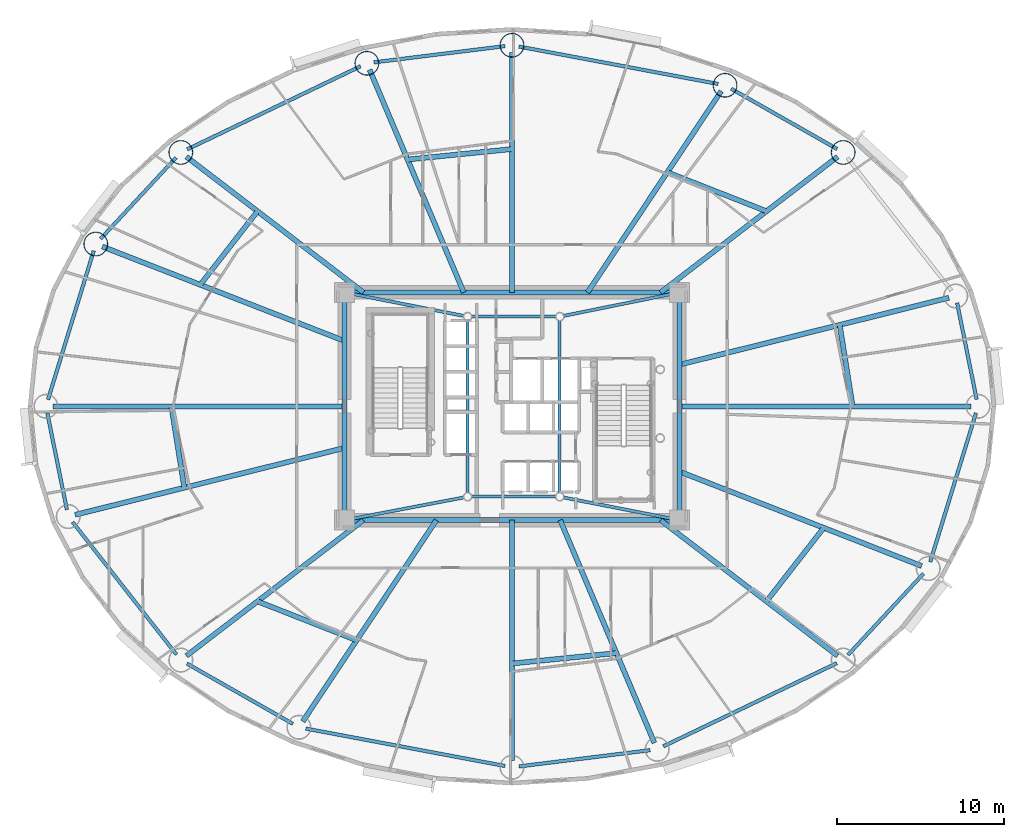
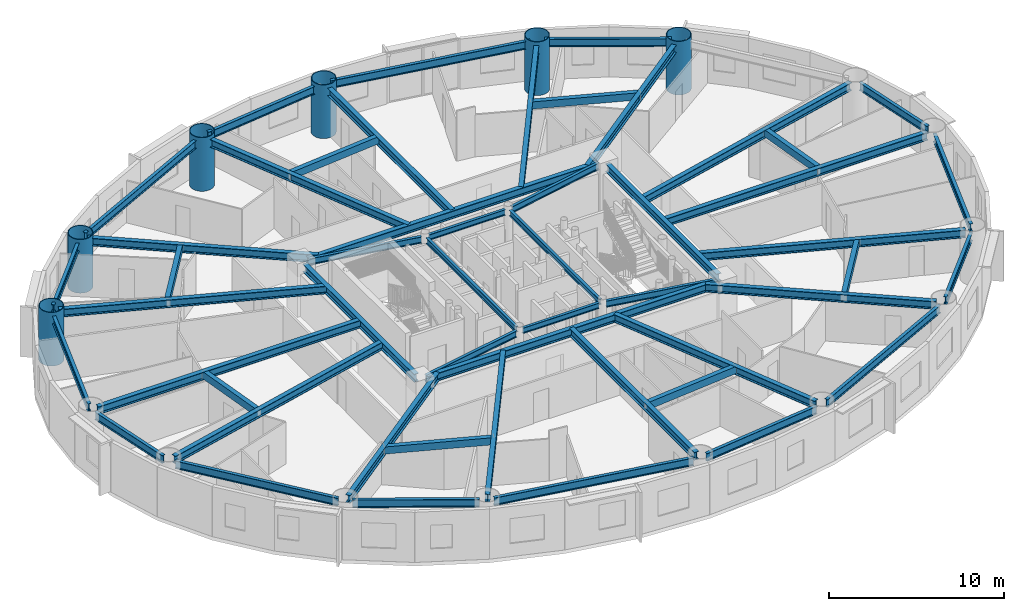
# One storey, part 3 of 19: 51 beams, 6 columns.
"""IFC4 building model written with IfcOpenShell, lengths in metres."""

import ifcopenshell
import ifcopenshell.guid

model = None  # the IFC model being written
_history = None  # IfcOwnerHistory: only IFC2X3 demands one
_inside = {}  # id of a spatial element -> (the spatial element, [elements in it])
_under = {}  # id of a project, library or spatial element -> (it, [spatial elements below it])
_declared = {}  # id of a project -> (the project, [libraries it declares])
_typed = {}  # id of a type object -> (the type object, [elements of that type])
_made_of = {}  # id of a material, layer set ... -> (it, [elements and type objects made of it])


def new_model(schema):
    """Start an empty IFC model of exactly this schema.

    Asked for "IFC4X3", IfcOpenShell would pick the latest addendum, in which some entities
    have other attributes; the version numbers below select the first issue.
    IFC2X3 requires an IfcOwnerHistory on every rooted entity: one is made here for all.
    """
    global model, _history
    if schema == "IFC4X3":
        model = ifcopenshell.file(schema_version=(4, 3, 0, 0))
    else:
        model = ifcopenshell.file(schema=schema)
    _inside.clear()
    _under.clear()
    _declared.clear()
    _typed.clear()
    _made_of.clear()
    _history = None
    if model.schema == "IFC2X3":
        org = make("IfcOrganization", Name="unknown")
        user = make(
            "IfcPersonAndOrganization",
            ThePerson=make("IfcPerson", FamilyName="unknown"),
            TheOrganization=org,
        )
        app = make(
            "IfcApplication",
            ApplicationDeveloper=org,
            Version="unknown",
            ApplicationFullName="unknown",
            ApplicationIdentifier="unknown",
        )
        _history = make(
            "IfcOwnerHistory",
            OwningUser=user,
            OwningApplication=app,
            ChangeAction="ADDED",
            CreationDate=0,
        )
    return model


def make(cls, **values):
    """One entity of the class cls with the attributes given. An attribute that is None is left unset."""
    return model.create_entity(
        cls, **{name: value for name, value in values.items() if value is not None}
    )


def rooted(cls, **values):
    """An entity with a GlobalId (a new one), such as an element, a storey or a relation."""
    return make(cls, GlobalId=ifcopenshell.guid.new(), OwnerHistory=_history, **values)


def si_unit(unit_type, name, prefix=None):
    """IfcSIUnit, for example si_unit("LENGTHUNIT", "METRE", prefix="MILLI")."""
    return make("IfcSIUnit", UnitType=unit_type, Prefix=prefix, Name=name)


def assignment(units):
    """IfcUnitAssignment: the units of a project."""
    return None if units is None else make("IfcUnitAssignment", Units=units)


def point(xyz):
    """IfcCartesianPoint."""
    return None if xyz is None else make("IfcCartesianPoint", Coordinates=xyz)


def direction(xyz):
    """IfcDirection."""
    return None if xyz is None else make("IfcDirection", DirectionRatios=xyz)


def frame(location, z_axis=None, x_axis=None):
    """IfcAxis2Placement3D, a coordinate frame: its origin and axes. An axis left out is left unset."""
    return make(
        "IfcAxis2Placement3D",
        Location=point(location),
        Axis=direction(z_axis),
        RefDirection=direction(x_axis),
    )


def frame_2d(location, x_axis=None):
    """IfcAxis2Placement2D, a coordinate frame in the plane: its origin and x axis."""
    return make(
        "IfcAxis2Placement2D", Location=point(location), RefDirection=direction(x_axis)
    )


def origin():
    """The frame at (0, 0, 0) with its axes left unset."""
    return frame((0.0, 0.0, 0.0))


def origin_2d():
    """The frame at (0, 0) in the plane with its x axis left unset."""
    return frame_2d((0.0, 0.0))


def place(relative_to, where):
    """IfcLocalPlacement: puts the frame where relative to a parent placement (None: the world)."""
    return make(
        "IfcLocalPlacement", PlacementRelTo=relative_to, RelativePlacement=where
    )


def context(
    kind, dimensions, precision=None, world=None, true_north=None, identifier=None
):
    """IfcGeometricRepresentationContext, for example the 3D "Model" context."""
    return make(
        "IfcGeometricRepresentationContext",
        ContextIdentifier=identifier,
        ContextType=kind,
        CoordinateSpaceDimension=dimensions,
        Precision=precision,
        WorldCoordinateSystem=world,
        TrueNorth=true_north,
    )


def subcontext(parent, identifier, kind, view, scale=None):
    """IfcGeometricRepresentationSubContext, for example "Body" below "Model"."""
    return make(
        "IfcGeometricRepresentationSubContext",
        ContextIdentifier=identifier,
        ContextType=kind,
        ParentContext=parent,
        TargetScale=scale,
        TargetView=view,
    )


def project(units=None, contexts=None):
    """IfcProject with its units and contexts."""
    return rooted(
        "IfcProject",
        Name="project",
        RepresentationContexts=contexts,
        UnitsInContext=assignment(units),
    )


def spatial(cls, under=None, at=None, **own):
    """A site, building, storey or space (cls), placed at a placement, below another one or the project."""
    s = rooted(cls, ObjectPlacement=at, **own)
    if under is not None:
        _under.setdefault(under.id(), (under, []))[1].append(s)
    return s


def profile(cls, at=None, kind="AREA", **sizes):
    """A parametric profile (cls). Its sizes go by their IFC names, for example OverallWidth=200.0."""
    return make(cls, ProfileType=kind, Position=at, **sizes)


def hollow_rectangle(**sizes):
    """IfcRectangleHollowProfileDef."""
    return profile("IfcRectangleHollowProfileDef", **sizes)


def hollow_circle(**sizes):
    """IfcCircleHollowProfileDef."""
    return profile("IfcCircleHollowProfileDef", **sizes)


def i_section(**sizes):
    """IfcIShapeProfileDef."""
    return profile("IfcIShapeProfileDef", **sizes)


def extrude(swept, where, along, depth):
    """IfcExtrudedAreaSolid: the profile swept, set in the frame where, extruded along a direction by depth."""
    return make(
        "IfcExtrudedAreaSolid",
        SweptArea=swept,
        Position=where,
        ExtrudedDirection=direction(along),
        Depth=depth,
    )


def shape(context_of_items, identifier, shape_type, items):
    """IfcShapeRepresentation: the items that make up one representation, for example the "Body"."""
    return make(
        "IfcShapeRepresentation",
        ContextOfItems=context_of_items,
        RepresentationIdentifier=identifier,
        RepresentationType=shape_type,
        Items=items,
    )


def material(Name=None, Category=None):
    """IfcMaterial."""
    return make("IfcMaterial", Name=Name, Category=Category)


def material_profile(
    of_material, cross_section, Name=None, Category=None, Priority=None
):
    """IfcMaterialProfile: a cross section and its material."""
    return make(
        "IfcMaterialProfile",
        Name=Name,
        Material=of_material,
        Profile=cross_section,
        Priority=Priority,
        Category=Category,
    )


def profile_set(profiles, Name=None, composite=None):
    """IfcMaterialProfileSet."""
    return make(
        "IfcMaterialProfileSet",
        Name=Name,
        MaterialProfiles=profiles,
        CompositeProfile=composite,
    )


def made_of(thing, what):
    """Note that an element or type object is made of a material, layer set ...; save() writes the relation."""
    if what is not None:
        _made_of.setdefault(what.id(), (what, []))[1].append(thing)
    return thing


def type_object(cls, material=None, **own):
    """A type object (cls), such as IfcWallType, which elements share."""
    return made_of(rooted(cls, **own), material)


def element(
    cls,
    number,
    at=None,
    inside=None,
    cuts=None,
    type_object=None,
    material=None,
    context=None,
    identifier="Body",
    shape_type=None,
    held_by="IfcProductDefinitionShape",
    body=None,
    shapes=None,
    **own,
):
    """One element of the class cls, such as IfcWall. Its Tag is "e" and its number.

    at: its placement. inside: the storey or other place that contains it. cuts: it is an
    opening in that element (IfcRelVoidsElement). A single representation is given by context,
    identifier, shape_type and body (its items); several are given by shapes. held_by: the class
    of the entity that holds the representations. save() writes the other relations.
    """
    e = rooted(cls, Tag="e%d" % number, ObjectPlacement=at, **own)
    if body is not None:
        shapes = [shape(context, identifier, shape_type, body)]
    if shapes is not None:
        e.Representation = make(held_by, Representations=shapes)
    if inside is not None:
        _inside.setdefault(inside.id(), (inside, []))[1].append(e)
    if cuts is not None:
        rooted(
            "IfcRelVoidsElement", RelatingBuildingElement=cuts, RelatedOpeningElement=e
        )
    if type_object is not None:
        _typed.setdefault(type_object.id(), (type_object, []))[1].append(e)
    return made_of(e, material)


def aggregate(whole, parts):
    """IfcRelAggregates: a whole, such as a stair, and the parts it consists of."""
    return rooted("IfcRelAggregates", RelatingObject=whole, RelatedObjects=parts)


def save(model, path):
    """Write the relations noted so far, then the file.

    IfcRelAggregates (storeys below a building ...), IfcRelContainedInSpatialStructure (elements
    in a storey), IfcRelDefinesByType, IfcRelAssociatesMaterial and IfcRelDeclares: one each for
    every whole, place, type object, material and project.
    """
    for whole, parts in _under.values():
        aggregate(whole, parts)
    for where, things in _inside.values():
        rooted(
            "IfcRelContainedInSpatialStructure",
            RelatedElements=things,
            RelatingStructure=where,
        )
    for kind, things in _typed.values():
        rooted("IfcRelDefinesByType", RelatedObjects=things, RelatingType=kind)
    for what, things in _made_of.values():
        rooted("IfcRelAssociatesMaterial", RelatedObjects=things, RelatingMaterial=what)
    for by, libraries in _declared.values():
        rooted("IfcRelDeclares", RelatingContext=by, RelatedDefinitions=libraries)
    model.write(path)


model = new_model("IFC4")

# Units and contexts
model_context = context("Model", 3, precision=1e-05, world=origin(), true_north=direction((0.0, 1.0)))
body_context = subcontext(model_context, "Body", "Model", "MODEL_VIEW")
ifc_project = project(units=[si_unit("LENGTHUNIT", "METRE"), si_unit("AREAUNIT", "SQUARE_METRE"), si_unit("VOLUMEUNIT", "CUBIC_METRE"), si_unit("PLANEANGLEUNIT", "RADIAN"), si_unit("MASSUNIT", "GRAM", prefix="KILO")], contexts=[model_context])

# Site, building, storey
site_placement = place(None, origin())
site = spatial("IfcSite", under=ifc_project, at=site_placement, CompositionType="ELEMENT")
building_placement = place(site_placement, origin())
building = spatial("IfcBuilding", under=site, at=building_placement, Name="Linh Dai School and Residence Tower", CompositionType="ELEMENT")
storey_placement = place(building_placement, frame((0.0, 0.0, 112.199951171875)))
storey = spatial("IfcBuildingStorey", under=building, at=storey_placement, Name="L26", CompositionType="ELEMENT", Elevation=112.199951171875)

# Columns
ifc_material = material(Name="Structural Steel S355JR", Category="steel")
ifc_material_profile_1 = material_profile(ifc_material, hollow_circle(Radius=0.72509765625, WallThickness=0.0419921875, at=origin_2d()), Name="CHS 1450x42")
ifc_profile_set_1 = profile_set([ifc_material_profile_1], Name="Structural Steel S355JR")
column_type = type_object("IfcColumnType", Name="COL-MC3", PredefinedType="COLUMN", material=ifc_profile_set_1)
for number, where, z_axis, x_axis, name in (
    (1, (55.772705078125, 42.155517578125, 0.0), (0.0, 0.0, 1.0), (1.0, 0.0, 0.0), "L26 Perimeter CFT Mega-Column MC03"),
    (2, (48.721923828125, 46.1650390625, 0.0), (0.0, 0.0, 1.0), (1.0, 0.0, 0.0), "L26 Perimeter CFT Mega-Column MC04"),
    (3, (36.0, 48.554931640625, 0.0), (0.0, 0.0, 1.0), (1.0, 0.0, 0.0), "L26 Perimeter CFT Mega-Column MC05"),
    (4, (27.33447265625, 47.480712890625, 0.0), (0.0, 0.0, 1.0), (1.0, 0.0, 0.0), "L26 Perimeter CFT Mega-Column MC06"),
    (5, (16.227294921875, 42.155517578125, 0.0), (0.0, 0.0, 1.0), (1.0, 0.0, 0.0), "L26 Perimeter CFT Mega-Column MC07"),
    (6, (11.15087890625, 36.6875, 0.0), (0.0, 0.0, 1.0), (1.0, 0.0, 0.0), "L26 Perimeter CFT Mega-Column MC08"),
):
    element("IfcColumn", number, at=place(storey_placement, frame(where, z_axis=z_axis, x_axis=x_axis)), inside=storey, type_object=column_type, Name=name, PredefinedType="COLUMN", context=body_context, shape_type="SweptSolid", body=[
        extrude(hollow_circle(Radius=0.72509765625, WallThickness=0.0419921875, at=origin_2d()), origin(), (0.0, 0.0, 1.0), 3.75),
    ])

# Beams
ifc_material_profile_2 = material_profile(ifc_material, hollow_rectangle(XDim=0.300048828125, YDim=0.5, WallThickness=0.01611328125, at=origin_2d()), Name="RHS 500x300x16")
ifc_profile_set_2 = profile_set([ifc_material_profile_2], Name="Structural Steel S355JR")
beam_type_1 = type_object("IfcBeamType", Name="BM-BX5", PredefinedType="BEAM", material=ifc_profile_set_2)
beam_1_placement = place(storey_placement, frame((56.337646484375, 27.0048828125, 3.25), z_axis=(-0.157026901302, 0.987594325757, 0.0), x_axis=(-0.987594325757, -0.157026901302, 0.0)))
element("IfcBeam", 7, at=beam_1_placement, inside=storey, type_object=beam_type_1, Name="L26 Secondary Circumferential Floor Beam 01", PredefinedType="BEAM", context=body_context, shape_type="SweptSolid", body=[
    extrude(hollow_rectangle(XDim=0.300048828125, YDim=0.5, WallThickness=0.01611328125, at=origin_2d()), origin(), (0.0, 0.0, 1.0), 4.91162109375),
])
beam_2_placement = place(storey_placement, frame((51.189453125, 38.64794921875, 3.25), z_axis=(-0.930742146732, 0.365676163151, 0.0), x_axis=(-0.365676163151, -0.930742146732, 0.0)))
element("IfcBeam", 8, at=beam_2_placement, inside=storey, type_object=beam_type_1, Name="L26 Secondary Circumferential Floor Beam 02", PredefinedType="BEAM", context=body_context, shape_type="SweptSolid", body=[
    extrude(hollow_rectangle(XDim=0.300048828125, YDim=0.5, WallThickness=0.01611328125, at=origin_2d()), origin(), (0.0, 0.0, 1.0), 6.349853515625),
])
beam_3_placement = place(storey_placement, frame((35.9951171875, 42.357421875, 3.25), z_axis=(-0.995043370853, -0.099441893196, 0.0), x_axis=(0.099441893196, -0.995043370853, 0.0)))
element("IfcBeam", 9, at=beam_3_placement, inside=storey, type_object=beam_type_1, Name="L26 Secondary Circumferential Floor Beam 03", PredefinedType="BEAM", context=body_context, shape_type="SweptSolid", body=[
    extrude(hollow_rectangle(XDim=0.300048828125, YDim=0.5, WallThickness=0.01611328125, at=origin_2d()), origin(), (0.0, 0.0, 1.0), 6.255615234375),
])
beam_4_placement = place(storey_placement, frame((20.802734375, 38.64208984375, 3.25), z_axis=(-0.614369629322, -0.789018351223, 0.0), x_axis=(0.789018351223, -0.614369629322, 0.0)))
element("IfcBeam", 10, at=beam_4_placement, inside=storey, type_object=beam_type_1, Name="L26 Secondary Circumferential Floor Beam 04", PredefinedType="BEAM", context=body_context, shape_type="SweptSolid", body=[
    extrude(hollow_rectangle(XDim=0.300048828125, YDim=0.5, WallThickness=0.01611328125, at=origin_2d()), origin(), (0.0, 0.0, 1.0), 5.553955078125),
])
beam_5_placement = place(storey_placement, frame((15.662353515625, 26.9951171875, 3.25), z_axis=(0.157026901302, -0.987594325757, 0.0), x_axis=(0.987594325757, 0.157026901302, 0.0)))
element("IfcBeam", 11, at=beam_5_placement, inside=storey, type_object=beam_type_1, Name="L26 Secondary Circumferential Floor Beam 05", PredefinedType="BEAM", context=body_context, shape_type="SweptSolid", body=[
    extrude(hollow_rectangle(XDim=0.300048828125, YDim=0.5, WallThickness=0.01611328125, at=origin_2d()), origin(), (0.0, 0.0, 1.0), 4.91162109375),
])
beam_6_placement = place(storey_placement, frame((20.810546875, 15.35205078125, 3.25), z_axis=(0.930742146732, -0.365676163151, 0.0), x_axis=(0.365676163151, 0.930742146732, 0.0)))
element("IfcBeam", 12, at=beam_6_placement, inside=storey, type_object=beam_type_1, Name="L26 Secondary Circumferential Floor Beam 06", PredefinedType="BEAM", context=body_context, shape_type="SweptSolid", body=[
    extrude(hollow_rectangle(XDim=0.300048828125, YDim=0.5, WallThickness=0.01611328125, at=origin_2d()), origin(), (0.0, 0.0, 1.0), 6.349853515625),
])
beam_7_placement = place(storey_placement, frame((36.0048828125, 11.642578125, 3.25), z_axis=(0.995043370853, 0.099441893196, 0.0), x_axis=(-0.099441893196, 0.995043370853, 0.0)))
element("IfcBeam", 13, at=beam_7_placement, inside=storey, type_object=beam_type_1, Name="L26 Secondary Circumferential Floor Beam 07", PredefinedType="BEAM", context=body_context, shape_type="SweptSolid", body=[
    extrude(hollow_rectangle(XDim=0.300048828125, YDim=0.5, WallThickness=0.01611328125, at=origin_2d()), origin(), (0.0, 0.0, 1.0), 6.255615234375),
])
beam_8_placement = place(storey_placement, frame((51.197265625, 15.35791015625, 3.25), z_axis=(0.614369629322, 0.789018351223, 0.0), x_axis=(-0.789018351223, 0.614369629322, 0.0)))
element("IfcBeam", 14, at=beam_8_placement, inside=storey, type_object=beam_type_1, Name="L26 Secondary Circumferential Floor Beam 08", PredefinedType="BEAM", context=body_context, shape_type="SweptSolid", body=[
    extrude(hollow_rectangle(XDim=0.300048828125, YDim=0.5, WallThickness=0.01611328125, at=origin_2d()), origin(), (0.0, 0.0, 1.0), 5.553955078125),
])
ifc_material_profile_3 = material_profile(ifc_material, i_section(OverallWidth=0.2099609375, OverallDepth=0.550048828125, WebThickness=0.010986328125, FlangeThickness=0.01708984375, FilletRadius=0.02392578125, at=origin_2d()), Name="IPE 550")
ifc_profile_set_3 = profile_set([ifc_material_profile_3], Name="Structural Steel S355JR")
beam_type_2 = type_object("IfcBeamType", Name="BM-RB55", PredefinedType="BEAM", material=ifc_profile_set_3)
beam_9_placement = place(storey_placement, frame((63.74169921875, 27.41162109375, 3.22509765625), z_axis=(-0.198441254313, 0.980112783605, 0.0), x_axis=(-0.980112783605, -0.198441254313, 0.0)))
element("IfcBeam", 15, at=beam_9_placement, inside=storey, type_object=beam_type_2, Name="L26 Perimeter Elliptical Ring Beam 01", PredefinedType="BEAM", context=body_context, shape_type="SweptSolid", body=[
    extrude(i_section(OverallWidth=0.2099609375, OverallDepth=0.550048828125, WebThickness=0.010986328125, FlangeThickness=0.01708984375, FilletRadius=0.02392578125, at=origin_2d()), origin(), (0.0, 0.0, 1.0), 5.874755859375),
])
beam_10_placement = place(storey_placement, frame((55.407470703125, 42.363037109375, 3.22509765625), z_axis=(-0.86927031475, 0.494337050902, 0.0), x_axis=(-0.494337050902, -0.86927031475, 0.0)))
element("IfcBeam", 16, at=beam_10_placement, inside=storey, type_object=beam_type_2, Name="L26 Perimeter Elliptical Ring Beam 03", PredefinedType="BEAM", context=body_context, shape_type="SweptSolid", body=[
    extrude(i_section(OverallWidth=0.2099609375, OverallDepth=0.550048828125, WebThickness=0.010986328125, FlangeThickness=0.01708984375, FilletRadius=0.02392578125, at=origin_2d()), origin(), (0.0, 0.0, 1.0), 7.270751953125),
])
beam_11_placement = place(storey_placement, frame((48.30908203125, 46.24267578125, 3.22509765625), z_axis=(-0.982807507457, 0.184633158685, 0.0), x_axis=(-0.184633158685, -0.982807507457, 0.0)))
element("IfcBeam", 17, at=beam_11_placement, inside=storey, type_object=beam_type_2, Name="L26 Perimeter Elliptical Ring Beam 04", PredefinedType="BEAM", context=body_context, shape_type="SweptSolid", body=[
    extrude(i_section(OverallWidth=0.2099609375, OverallDepth=0.550048828125, WebThickness=0.010986328125, FlangeThickness=0.01708984375, FilletRadius=0.02392578125, at=origin_2d()), origin(), (0.0, 0.0, 1.0), 12.104248046875),
])
beam_12_placement = place(storey_placement, frame((35.583251953125, 48.50341796875, 3.22509765625), z_axis=(-0.992399234854, -0.123059979933, 0.0), x_axis=(0.123059979933, -0.992399234854, 0.0)))
element("IfcBeam", 18, at=beam_12_placement, inside=storey, type_object=beam_type_2, Name="L26 Perimeter Elliptical Ring Beam 05", PredefinedType="BEAM", context=body_context, shape_type="SweptSolid", body=[
    extrude(i_section(OverallWidth=0.2099609375, OverallDepth=0.550048828125, WebThickness=0.010986328125, FlangeThickness=0.01708984375, FilletRadius=0.02392578125, at=origin_2d()), origin(), (0.0, 0.0, 1.0), 7.89208984375),
])
beam_13_placement = place(storey_placement, frame((26.955810546875, 47.299072265625, 3.22509765625), z_axis=(-0.901715153312, -0.432330640005, 0.0), x_axis=(0.432330640005, -0.901715153312, 0.0)))
element("IfcBeam", 19, at=beam_13_placement, inside=storey, type_object=beam_type_2, Name="L26 Perimeter Elliptical Ring Beam 06", PredefinedType="BEAM", context=body_context, shape_type="SweptSolid", body=[
    extrude(i_section(OverallWidth=0.2099609375, OverallDepth=0.550048828125, WebThickness=0.010986328125, FlangeThickness=0.01708984375, FilletRadius=0.02392578125, at=origin_2d()), origin(), (0.0, 0.0, 1.0), 11.477783203125),
])
beam_14_placement = place(storey_placement, frame((15.941650390625, 41.84765625, 3.22509765625), z_axis=(-0.680384623752, -0.732855213369, 0.0), x_axis=(0.732855213369, -0.680384623752, 0.0)))
element("IfcBeam", 20, at=beam_14_placement, inside=storey, type_object=beam_type_2, Name="L26 Perimeter Elliptical Ring Beam 07", PredefinedType="BEAM", context=body_context, shape_type="SweptSolid", body=[
    extrude(i_section(OverallWidth=0.2099609375, OverallDepth=0.550048828125, WebThickness=0.010986328125, FlangeThickness=0.01708984375, FilletRadius=0.02392578125, at=origin_2d()), origin(), (0.0, 0.0, 1.0), 6.62109375),
])
beam_15_placement = place(storey_placement, frame((11.027587890625, 36.2861328125, 3.22509765625), z_axis=(-0.29364097848, -0.95591577859, 0.0), x_axis=(0.95591577859, -0.29364097848, 0.0)))
element("IfcBeam", 21, at=beam_15_placement, inside=storey, type_object=beam_type_2, Name="L26 Perimeter Elliptical Ring Beam 08", PredefinedType="BEAM", context=body_context, shape_type="SweptSolid", body=[
    extrude(i_section(OverallWidth=0.2099609375, OverallDepth=0.550048828125, WebThickness=0.010986328125, FlangeThickness=0.01708984375, FilletRadius=0.02392578125, at=origin_2d()), origin(), (0.0, 0.0, 1.0), 9.29443359375),
])
beam_16_placement = place(storey_placement, frame((8.25830078125, 26.58837890625, 3.22509765625), z_axis=(0.198441254313, -0.980112783605, 0.0), x_axis=(0.980112783605, 0.198441254313, 0.0)))
element("IfcBeam", 22, at=beam_16_placement, inside=storey, type_object=beam_type_2, Name="L26 Perimeter Elliptical Ring Beam 09", PredefinedType="BEAM", context=body_context, shape_type="SweptSolid", body=[
    extrude(i_section(OverallWidth=0.2099609375, OverallDepth=0.550048828125, WebThickness=0.010986328125, FlangeThickness=0.01708984375, FilletRadius=0.02392578125, at=origin_2d()), origin(), (0.0, 0.0, 1.0), 5.874755859375),
])
beam_17_placement = place(storey_placement, frame((9.766357421875, 20.08837890625, 3.22509765625), z_axis=(0.616854830973, -0.787076945098, 0.0), x_axis=(0.787076945098, 0.616854830973, 0.0)))
element("IfcBeam", 23, at=beam_17_placement, inside=storey, type_object=beam_type_2, Name="L26 Perimeter Elliptical Ring Beam 10", PredefinedType="BEAM", context=body_context, shape_type="SweptSolid", body=[
    extrude(i_section(OverallWidth=0.2099609375, OverallDepth=0.550048828125, WebThickness=0.010986328125, FlangeThickness=0.01708984375, FilletRadius=0.02392578125, at=origin_2d()), origin(), (0.0, 0.0, 1.0), 10.053955078125),
])
beam_18_placement = place(storey_placement, frame((16.592529296875, 11.636962890625, 3.22509765625), z_axis=(0.86927031475, -0.494337050902, 0.0), x_axis=(0.494337050902, 0.86927031475, 0.0)))
element("IfcBeam", 24, at=beam_18_placement, inside=storey, type_object=beam_type_2, Name="L26 Perimeter Elliptical Ring Beam 11", PredefinedType="BEAM", context=body_context, shape_type="SweptSolid", body=[
    extrude(i_section(OverallWidth=0.2099609375, OverallDepth=0.550048828125, WebThickness=0.010986328125, FlangeThickness=0.01708984375, FilletRadius=0.02392578125, at=origin_2d()), origin(), (0.0, 0.0, 1.0), 7.270751953125),
])
beam_19_placement = place(storey_placement, frame((23.69091796875, 7.75732421875, 3.22509765625), z_axis=(0.982807507457, -0.184633158685, 0.0), x_axis=(0.184633158685, 0.982807507457, 0.0)))
element("IfcBeam", 25, at=beam_19_placement, inside=storey, type_object=beam_type_2, Name="L26 Perimeter Elliptical Ring Beam 12", PredefinedType="BEAM", context=body_context, shape_type="SweptSolid", body=[
    extrude(i_section(OverallWidth=0.2099609375, OverallDepth=0.550048828125, WebThickness=0.010986328125, FlangeThickness=0.01708984375, FilletRadius=0.02392578125, at=origin_2d()), origin(), (0.0, 0.0, 1.0), 12.104248046875),
])
beam_20_placement = place(storey_placement, frame((36.416748046875, 5.49658203125, 3.22509765625), z_axis=(0.992399234854, 0.123059979933, 0.0), x_axis=(-0.123059979933, 0.992399234854, 0.0)))
element("IfcBeam", 26, at=beam_20_placement, inside=storey, type_object=beam_type_2, Name="L26 Perimeter Elliptical Ring Beam 13", PredefinedType="BEAM", context=body_context, shape_type="SweptSolid", body=[
    extrude(i_section(OverallWidth=0.2099609375, OverallDepth=0.550048828125, WebThickness=0.010986328125, FlangeThickness=0.01708984375, FilletRadius=0.02392578125, at=origin_2d()), origin(), (0.0, 0.0, 1.0), 7.89208984375),
])
beam_21_placement = place(storey_placement, frame((45.044189453125, 6.700927734375, 3.22509765625), z_axis=(0.901715153312, 0.432330640005, 0.0), x_axis=(-0.432330640005, 0.901715153312, 0.0)))
element("IfcBeam", 27, at=beam_21_placement, inside=storey, type_object=beam_type_2, Name="L26 Perimeter Elliptical Ring Beam 14", PredefinedType="BEAM", context=body_context, shape_type="SweptSolid", body=[
    extrude(i_section(OverallWidth=0.2099609375, OverallDepth=0.550048828125, WebThickness=0.010986328125, FlangeThickness=0.01708984375, FilletRadius=0.02392578125, at=origin_2d()), origin(), (0.0, 0.0, 1.0), 11.477783203125),
])
beam_22_placement = place(storey_placement, frame((56.058349609375, 12.15234375, 3.22509765625), z_axis=(0.680384623752, 0.732855213369, 0.0), x_axis=(-0.732855213369, 0.680384623752, 0.0)))
element("IfcBeam", 28, at=beam_22_placement, inside=storey, type_object=beam_type_2, Name="L26 Perimeter Elliptical Ring Beam 15", PredefinedType="BEAM", context=body_context, shape_type="SweptSolid", body=[
    extrude(i_section(OverallWidth=0.2099609375, OverallDepth=0.550048828125, WebThickness=0.010986328125, FlangeThickness=0.01708984375, FilletRadius=0.02392578125, at=origin_2d()), origin(), (0.0, 0.0, 1.0), 6.62109375),
])
beam_23_placement = place(storey_placement, frame((60.972412109375, 17.7138671875, 3.22509765625), z_axis=(0.29364097848, 0.95591577859, 0.0), x_axis=(-0.95591577859, 0.29364097848, 0.0)))
element("IfcBeam", 29, at=beam_23_placement, inside=storey, type_object=beam_type_2, Name="L26 Perimeter Elliptical Ring Beam 16", PredefinedType="BEAM", context=body_context, shape_type="SweptSolid", body=[
    extrude(i_section(OverallWidth=0.2099609375, OverallDepth=0.550048828125, WebThickness=0.010986328125, FlangeThickness=0.01708984375, FilletRadius=0.02392578125, at=origin_2d()), origin(), (0.0, 0.0, 1.0), 9.29443359375),
])
ifc_material_profile_4 = material_profile(ifc_material, i_section(OverallWidth=0.300048828125, OverallDepth=0.550048828125, WebThickness=0.014892578125, FlangeThickness=0.029052734375, FilletRadius=0.027099609375, at=origin_2d()), Name="HEB 550")
ifc_profile_set_4 = profile_set([ifc_material_profile_4], Name="Structural Steel S355JR")
beam_type_3 = type_object("IfcBeamType", Name="BM-RG55", PredefinedType="BEAM", material=ifc_profile_set_4)
beam_24_placement = place(storey_placement, frame((26.419921875, 20.199951171875, 3.22509765625), z_axis=(1.0, 0.0, 0.0), x_axis=(0.0, 1.0, 0.0)))
element("IfcBeam", 30, at=beam_24_placement, inside=storey, type_object=beam_type_3, Name="L26 Core Perimeter Coupling Girder 1", PredefinedType="BEAM", context=body_context, shape_type="SweptSolid", body=[
    extrude(i_section(OverallWidth=0.300048828125, OverallDepth=0.550048828125, WebThickness=0.014892578125, FlangeThickness=0.029052734375, FilletRadius=0.027099609375, at=origin_2d()), origin(), (0.0, 0.0, 1.0), 19.16015625),
])
beam_25_placement = place(storey_placement, frame((46.0, 20.6201171875, 3.22509765625), z_axis=(0.0, 1.0, 0.0), x_axis=(-1.0, 0.0, 0.0)))
element("IfcBeam", 31, at=beam_25_placement, inside=storey, type_object=beam_type_3, Name="L26 Core Perimeter Coupling Girder 2", PredefinedType="BEAM", context=body_context, shape_type="SweptSolid", body=[
    extrude(i_section(OverallWidth=0.300048828125, OverallDepth=0.550048828125, WebThickness=0.014892578125, FlangeThickness=0.029052734375, FilletRadius=0.027099609375, at=origin_2d()), origin(), (0.0, 0.0, 1.0), 12.759765625),
])
beam_26_placement = place(storey_placement, frame((45.580078125, 33.800048828125, 3.22509765625), z_axis=(-1.0, 0.0, 0.0), x_axis=(0.0, -1.0, 0.0)))
element("IfcBeam", 32, at=beam_26_placement, inside=storey, type_object=beam_type_3, Name="L26 Core Perimeter Coupling Girder 3", PredefinedType="BEAM", context=body_context, shape_type="SweptSolid", body=[
    extrude(i_section(OverallWidth=0.300048828125, OverallDepth=0.550048828125, WebThickness=0.014892578125, FlangeThickness=0.029052734375, FilletRadius=0.027099609375, at=origin_2d()), origin(), (0.0, 0.0, 1.0), 19.16015625),
])
beam_27_placement = place(storey_placement, frame((26.0, 33.3798828125, 3.22509765625), z_axis=(0.0, -1.0, 0.0), x_axis=(1.0, 0.0, 0.0)))
element("IfcBeam", 33, at=beam_27_placement, inside=storey, type_object=beam_type_3, Name="L26 Core Perimeter Coupling Girder 4", PredefinedType="BEAM", context=body_context, shape_type="SweptSolid", body=[
    extrude(i_section(OverallWidth=0.300048828125, OverallDepth=0.550048828125, WebThickness=0.014892578125, FlangeThickness=0.029052734375, FilletRadius=0.027099609375, at=origin_2d()), origin(), (0.0, 0.0, 1.0), 12.759765625),
])
beam_28_placement = place(storey_placement, frame((46.0, 27.0, 3.22509765625), z_axis=(1.0, 0.0, 0.0), x_axis=(0.0, 1.0, 0.0)))
element("IfcBeam", 34, at=beam_28_placement, inside=storey, type_object=beam_type_3, Name="L26 Primary Radial Floor Girder 01", PredefinedType="BEAM", context=body_context, shape_type="SweptSolid", body=[
    extrude(i_section(OverallWidth=0.300048828125, OverallDepth=0.550048828125, WebThickness=0.014892578125, FlangeThickness=0.029052734375, FilletRadius=0.027099609375, at=origin_2d()), origin(), (0.0, 0.0, 1.0), 17.405029296875),
])
beam_29_placement = place(storey_placement, frame((46.0, 29.484130859375, 3.22509765625), z_axis=(0.970505338376, 0.241079630379, 0.0), x_axis=(-0.241079630379, 0.970505338376, 0.0)))
element("IfcBeam", 35, at=beam_29_placement, inside=storey, type_object=beam_type_3, Name="L26 Primary Radial Floor Girder 02", PredefinedType="BEAM", context=body_context, shape_type="SweptSolid", body=[
    extrude(i_section(OverallWidth=0.300048828125, OverallDepth=0.550048828125, WebThickness=0.014892578125, FlangeThickness=0.029052734375, FilletRadius=0.027099609375, at=origin_2d()), origin(), (0.0, 0.0, 1.0), 16.57373046875),
])
beam_30_placement = place(storey_placement, frame((44.87158203125, 33.800048828125, 3.22509765625), z_axis=(0.793678660795, 0.608337228352, 0.0), x_axis=(-0.608337228352, 0.793678660795, 0.0)))
element("IfcBeam", 36, at=beam_30_placement, inside=storey, type_object=beam_type_3, Name="L26 Primary Radial Floor Girder 03", PredefinedType="BEAM", context=body_context, shape_type="SweptSolid", body=[
    extrude(i_section(OverallWidth=0.300048828125, OverallDepth=0.550048828125, WebThickness=0.014892578125, FlangeThickness=0.029052734375, FilletRadius=0.027099609375, at=origin_2d()), origin(), (0.0, 0.0, 1.0), 13.314697265625),
])
beam_31_placement = place(storey_placement, frame((40.513916015625, 33.800048828125, 3.22509765625), z_axis=(0.553054392401, 0.833145148846, 0.0), x_axis=(-0.833145148846, 0.553054392401, 0.0)))
element("IfcBeam", 37, at=beam_31_placement, inside=storey, type_object=beam_type_3, Name="L26 Primary Radial Floor Girder 04", PredefinedType="BEAM", context=body_context, shape_type="SweptSolid", body=[
    extrude(i_section(OverallWidth=0.300048828125, OverallDepth=0.550048828125, WebThickness=0.014892578125, FlangeThickness=0.029052734375, FilletRadius=0.027099609375, at=origin_2d()), origin(), (0.0, 0.0, 1.0), 14.42138671875),
])
beam_32_placement = place(storey_placement, frame((36.0, 33.800048828125, 3.22509765625), z_axis=(0.0, 1.0, 0.0), x_axis=(-1.0, 0.0, 0.0)))
element("IfcBeam", 38, at=beam_32_placement, inside=storey, type_object=beam_type_3, Name="L26 Primary Radial Floor Girder 05", PredefinedType="BEAM", context=body_context, shape_type="SweptSolid", body=[
    extrude(i_section(OverallWidth=0.300048828125, OverallDepth=0.550048828125, WebThickness=0.014892578125, FlangeThickness=0.029052734375, FilletRadius=0.027099609375, at=origin_2d()), origin(), (0.0, 0.0, 1.0), 14.3349609375),
])
beam_33_placement = place(storey_placement, frame((33.122802734375, 33.800048828125, 3.22509765625), z_axis=(-0.389669233739, 0.920954878524, 0.0), x_axis=(-0.920954878524, -0.389669233739, 0.0)))
element("IfcBeam", 39, at=beam_33_placement, inside=storey, type_object=beam_type_3, Name="L26 Primary Radial Floor Girder 06", PredefinedType="BEAM", context=body_context, shape_type="SweptSolid", body=[
    extrude(i_section(OverallWidth=0.300048828125, OverallDepth=0.550048828125, WebThickness=0.014892578125, FlangeThickness=0.029052734375, FilletRadius=0.027099609375, at=origin_2d()), origin(), (0.0, 0.0, 1.0), 14.434814453125),
])
beam_34_placement = place(storey_placement, frame((27.12841796875, 33.800048828125, 3.22509765625), z_axis=(-0.793678660795, 0.608337228352, 0.0), x_axis=(-0.608337228352, -0.793678660795, 0.0)))
element("IfcBeam", 40, at=beam_34_placement, inside=storey, type_object=beam_type_3, Name="L26 Primary Radial Floor Girder 07", PredefinedType="BEAM", context=body_context, shape_type="SweptSolid", body=[
    extrude(i_section(OverallWidth=0.300048828125, OverallDepth=0.550048828125, WebThickness=0.014892578125, FlangeThickness=0.029052734375, FilletRadius=0.027099609375, at=origin_2d()), origin(), (0.0, 0.0, 1.0), 13.314697265625),
])
beam_35_placement = place(storey_placement, frame((26.0, 30.8984375, 3.22509765625), z_axis=(-0.931699338449, 0.363230426498, 0.0), x_axis=(-0.363230426498, -0.931699338449, 0.0)))
element("IfcBeam", 41, at=beam_35_placement, inside=storey, type_object=beam_type_3, Name="L26 Primary Radial Floor Girder 08", PredefinedType="BEAM", context=body_context, shape_type="SweptSolid", body=[
    extrude(i_section(OverallWidth=0.300048828125, OverallDepth=0.550048828125, WebThickness=0.014892578125, FlangeThickness=0.029052734375, FilletRadius=0.027099609375, at=origin_2d()), origin(), (0.0, 0.0, 1.0), 15.517578125),
])
beam_36_placement = place(storey_placement, frame((26.0, 27.0, 3.22509765625), z_axis=(-1.0, 0.0, 0.0), x_axis=(0.0, -1.0, 0.0)))
element("IfcBeam", 42, at=beam_36_placement, inside=storey, type_object=beam_type_3, Name="L26 Primary Radial Floor Girder 09", PredefinedType="BEAM", context=body_context, shape_type="SweptSolid", body=[
    extrude(i_section(OverallWidth=0.300048828125, OverallDepth=0.550048828125, WebThickness=0.014892578125, FlangeThickness=0.029052734375, FilletRadius=0.027099609375, at=origin_2d()), origin(), (0.0, 0.0, 1.0), 17.405029296875),
])
beam_37_placement = place(storey_placement, frame((26.0, 24.515869140625, 3.22509765625), z_axis=(-0.970505338376, -0.241079630379, 0.0), x_axis=(0.241079630379, -0.970505338376, 0.0)))
element("IfcBeam", 43, at=beam_37_placement, inside=storey, type_object=beam_type_3, Name="L26 Primary Radial Floor Girder 10", PredefinedType="BEAM", context=body_context, shape_type="SweptSolid", body=[
    extrude(i_section(OverallWidth=0.300048828125, OverallDepth=0.550048828125, WebThickness=0.014892578125, FlangeThickness=0.029052734375, FilletRadius=0.027099609375, at=origin_2d()), origin(), (0.0, 0.0, 1.0), 16.57373046875),
])
beam_38_placement = place(storey_placement, frame((27.12841796875, 20.199951171875, 3.22509765625), z_axis=(-0.793678660795, -0.608337228352, 0.0), x_axis=(0.608337228352, -0.793678660795, 0.0)))
element("IfcBeam", 44, at=beam_38_placement, inside=storey, type_object=beam_type_3, Name="L26 Primary Radial Floor Girder 11", PredefinedType="BEAM", context=body_context, shape_type="SweptSolid", body=[
    extrude(i_section(OverallWidth=0.300048828125, OverallDepth=0.550048828125, WebThickness=0.014892578125, FlangeThickness=0.029052734375, FilletRadius=0.027099609375, at=origin_2d()), origin(), (0.0, 0.0, 1.0), 13.314697265625),
])
beam_39_placement = place(storey_placement, frame((31.486083984375, 20.199951171875, 3.22509765625), z_axis=(-0.553054392401, -0.833145148846, 0.0), x_axis=(0.833145148846, -0.553054392401, 0.0)))
element("IfcBeam", 45, at=beam_39_placement, inside=storey, type_object=beam_type_3, Name="L26 Primary Radial Floor Girder 12", PredefinedType="BEAM", context=body_context, shape_type="SweptSolid", body=[
    extrude(i_section(OverallWidth=0.300048828125, OverallDepth=0.550048828125, WebThickness=0.014892578125, FlangeThickness=0.029052734375, FilletRadius=0.027099609375, at=origin_2d()), origin(), (0.0, 0.0, 1.0), 14.42138671875),
])
beam_40_placement = place(storey_placement, frame((36.0, 20.199951171875, 3.22509765625), z_axis=(0.0, -1.0, 0.0), x_axis=(1.0, 0.0, 0.0)))
element("IfcBeam", 46, at=beam_40_placement, inside=storey, type_object=beam_type_3, Name="L26 Primary Radial Floor Girder 13", PredefinedType="BEAM", context=body_context, shape_type="SweptSolid", body=[
    extrude(i_section(OverallWidth=0.300048828125, OverallDepth=0.550048828125, WebThickness=0.014892578125, FlangeThickness=0.029052734375, FilletRadius=0.027099609375, at=origin_2d()), origin(), (0.0, 0.0, 1.0), 14.3349609375),
])
beam_41_placement = place(storey_placement, frame((38.877197265625, 20.199951171875, 3.22509765625), z_axis=(0.389669233739, -0.920954878524, 0.0), x_axis=(0.920954878524, 0.389669233739, 0.0)))
element("IfcBeam", 47, at=beam_41_placement, inside=storey, type_object=beam_type_3, Name="L26 Primary Radial Floor Girder 14", PredefinedType="BEAM", context=body_context, shape_type="SweptSolid", body=[
    extrude(i_section(OverallWidth=0.300048828125, OverallDepth=0.550048828125, WebThickness=0.014892578125, FlangeThickness=0.029052734375, FilletRadius=0.027099609375, at=origin_2d()), origin(), (0.0, 0.0, 1.0), 14.434814453125),
])
beam_42_placement = place(storey_placement, frame((44.87158203125, 20.199951171875, 3.22509765625), z_axis=(0.793678660795, -0.608337228352, 0.0), x_axis=(0.608337228352, 0.793678660795, 0.0)))
element("IfcBeam", 48, at=beam_42_placement, inside=storey, type_object=beam_type_3, Name="L26 Primary Radial Floor Girder 15", PredefinedType="BEAM", context=body_context, shape_type="SweptSolid", body=[
    extrude(i_section(OverallWidth=0.300048828125, OverallDepth=0.550048828125, WebThickness=0.014892578125, FlangeThickness=0.029052734375, FilletRadius=0.027099609375, at=origin_2d()), origin(), (0.0, 0.0, 1.0), 13.314697265625),
])
beam_43_placement = place(storey_placement, frame((46.0, 23.1015625, 3.22509765625), z_axis=(0.931699338449, -0.363230426498, 0.0), x_axis=(0.363230426498, 0.931699338449, 0.0)))
element("IfcBeam", 49, at=beam_43_placement, inside=storey, type_object=beam_type_3, Name="L26 Primary Radial Floor Girder 16", PredefinedType="BEAM", context=body_context, shape_type="SweptSolid", body=[
    extrude(i_section(OverallWidth=0.300048828125, OverallDepth=0.550048828125, WebThickness=0.014892578125, FlangeThickness=0.029052734375, FilletRadius=0.027099609375, at=origin_2d()), origin(), (0.0, 0.0, 1.0), 15.517578125),
])
ifc_material_profile_5 = material_profile(ifc_material, i_section(OverallWidth=0.179931640625, OverallDepth=0.39990234375, WebThickness=0.008544921875, FlangeThickness=0.013427734375, FilletRadius=0.02099609375, at=origin_2d()), Name="IPE 400")
ifc_profile_set_5 = profile_set([ifc_material_profile_5], Name="Structural Steel S355JR")
beam_type_4 = type_object("IfcBeamType", Name="BM-SB40", PredefinedType="BEAM", material=ifc_profile_set_5)
beam_44_placement = place(storey_placement, frame((33.573974609375, 21.60009765625, 3.300048828125), z_axis=(1.0, 0.0, 0.0), x_axis=(0.0, 1.0, 0.0)))
element("IfcBeam", 50, at=beam_44_placement, inside=storey, type_object=beam_type_4, Name="L26 Core Mast Pier Tie Beam 1", PredefinedType="BEAM", context=body_context, shape_type="SweptSolid", body=[
    extrude(i_section(OverallWidth=0.179931640625, OverallDepth=0.39990234375, WebThickness=0.008544921875, FlangeThickness=0.013427734375, FilletRadius=0.02099609375, at=origin_2d()), origin(), (0.0, 0.0, 1.0), 5.052001953125),
])
beam_45_placement = place(storey_placement, frame((38.85009765625, 21.823974609375, 3.300048828125), z_axis=(0.0, 1.0, 0.0), x_axis=(-1.0, 0.0, 0.0)))
element("IfcBeam", 51, at=beam_45_placement, inside=storey, type_object=beam_type_4, Name="L26 Core Mast Pier Tie Beam 2", PredefinedType="BEAM", context=body_context, shape_type="SweptSolid", body=[
    extrude(i_section(OverallWidth=0.179931640625, OverallDepth=0.39990234375, WebThickness=0.008544921875, FlangeThickness=0.013427734375, FilletRadius=0.02099609375, at=origin_2d()), origin(), (0.0, 0.0, 1.0), 10.302001953125),
])
beam_46_placement = place(storey_placement, frame((38.6259765625, 32.35009765625, 3.300048828125), z_axis=(-1.0, 0.0, 0.0), x_axis=(0.0, -1.0, 0.0)))
element("IfcBeam", 52, at=beam_46_placement, inside=storey, type_object=beam_type_4, Name="L26 Core Mast Pier Tie Beam 3", PredefinedType="BEAM", context=body_context, shape_type="SweptSolid", body=[
    extrude(i_section(OverallWidth=0.179931640625, OverallDepth=0.39990234375, WebThickness=0.008544921875, FlangeThickness=0.013427734375, FilletRadius=0.02099609375, at=origin_2d()), origin(), (0.0, 0.0, 1.0), 5.052001953125),
])
beam_47_placement = place(storey_placement, frame((33.35009765625, 32.1259765625, 3.300048828125), z_axis=(0.0, -1.0, 0.0), x_axis=(1.0, 0.0, 0.0)))
element("IfcBeam", 53, at=beam_47_placement, inside=storey, type_object=beam_type_4, Name="L26 Core Mast Pier Tie Beam 4", PredefinedType="BEAM", context=body_context, shape_type="SweptSolid", body=[
    extrude(i_section(OverallWidth=0.179931640625, OverallDepth=0.39990234375, WebThickness=0.008544921875, FlangeThickness=0.013427734375, FilletRadius=0.02099609375, at=origin_2d()), origin(), (0.0, 0.0, 1.0), 10.302001953125),
])
ifc_material_profile_6 = material_profile(ifc_material, i_section(OverallWidth=0.18994140625, OverallDepth=0.449951171875, WebThickness=0.009521484375, FlangeThickness=0.0146484375, FilletRadius=0.02099609375, at=origin_2d()), Name="IPE 450")
ifc_profile_set_6 = profile_set([ifc_material_profile_6], Name="Structural Steel S355JR")
beam_type_5 = type_object("IfcBeamType", Name="BM-SB45", PredefinedType="BEAM", material=ifc_profile_set_6)
beam_48_placement = place(storey_placement, frame((26.41259765625, 20.278564453125, 3.275146484375), z_axis=(0.982337003886, 0.187120311019, 0.0), x_axis=(-0.187120311019, 0.982337003886, 0.0)))
element("IfcBeam", 54, at=beam_48_placement, inside=storey, type_object=beam_type_5, Name="L26 Core Corner-to-Mast Pier Beam 1", PredefinedType="BEAM", context=body_context, shape_type="SweptSolid", body=[
    extrude(i_section(OverallWidth=0.18994140625, OverallDepth=0.449951171875, WebThickness=0.009521484375, FlangeThickness=0.0146484375, FilletRadius=0.02099609375, at=origin_2d()), origin(), (0.0, 0.0, 1.0), 6.838134765625),
])
beam_49_placement = place(storey_placement, frame((45.587890625, 20.28076171875, 3.275146484375), z_axis=(-0.981368554414, 0.192134745446, 0.0), x_axis=(-0.192134745446, -0.981368554414, 0.0)))
element("IfcBeam", 55, at=beam_49_placement, inside=storey, type_object=beam_type_5, Name="L26 Core Corner-to-Mast Pier Beam 2", PredefinedType="BEAM", context=body_context, shape_type="SweptSolid", body=[
    extrude(i_section(OverallWidth=0.18994140625, OverallDepth=0.449951171875, WebThickness=0.009521484375, FlangeThickness=0.0146484375, FilletRadius=0.02099609375, at=origin_2d()), origin(), (0.0, 0.0, 1.0), 6.641845703125),
])
beam_50_placement = place(storey_placement, frame((45.58837890625, 33.716552734375, 3.275146484375), z_axis=(-0.980049140776, -0.19875533116, 0.0), x_axis=(0.19875533116, -0.980049140776, 0.0)))
element("IfcBeam", 56, at=beam_50_placement, inside=storey, type_object=beam_type_5, Name="L26 Core Corner-to-Mast Pier Beam 3", PredefinedType="BEAM", context=body_context, shape_type="SweptSolid", body=[
    extrude(i_section(OverallWidth=0.18994140625, OverallDepth=0.449951171875, WebThickness=0.009521484375, FlangeThickness=0.0146484375, FilletRadius=0.02099609375, at=origin_2d()), origin(), (0.0, 0.0, 1.0), 6.651611328125),
])
beam_51_placement = place(storey_placement, frame((26.412109375, 33.71875, 3.275146484375), z_axis=(0.981087482999, -0.193564848828, 0.0), x_axis=(0.193564848828, 0.981087482999, 0.0)))
element("IfcBeam", 57, at=beam_51_placement, inside=storey, type_object=beam_type_5, Name="L26 Core Corner-to-Mast Pier Beam 4", PredefinedType="BEAM", context=body_context, shape_type="SweptSolid", body=[
    extrude(i_section(OverallWidth=0.18994140625, OverallDepth=0.449951171875, WebThickness=0.009521484375, FlangeThickness=0.0146484375, FilletRadius=0.02099609375, at=origin_2d()), origin(), (0.0, 0.0, 1.0), 6.847412109375),
])

save(model, "model.ifc")
